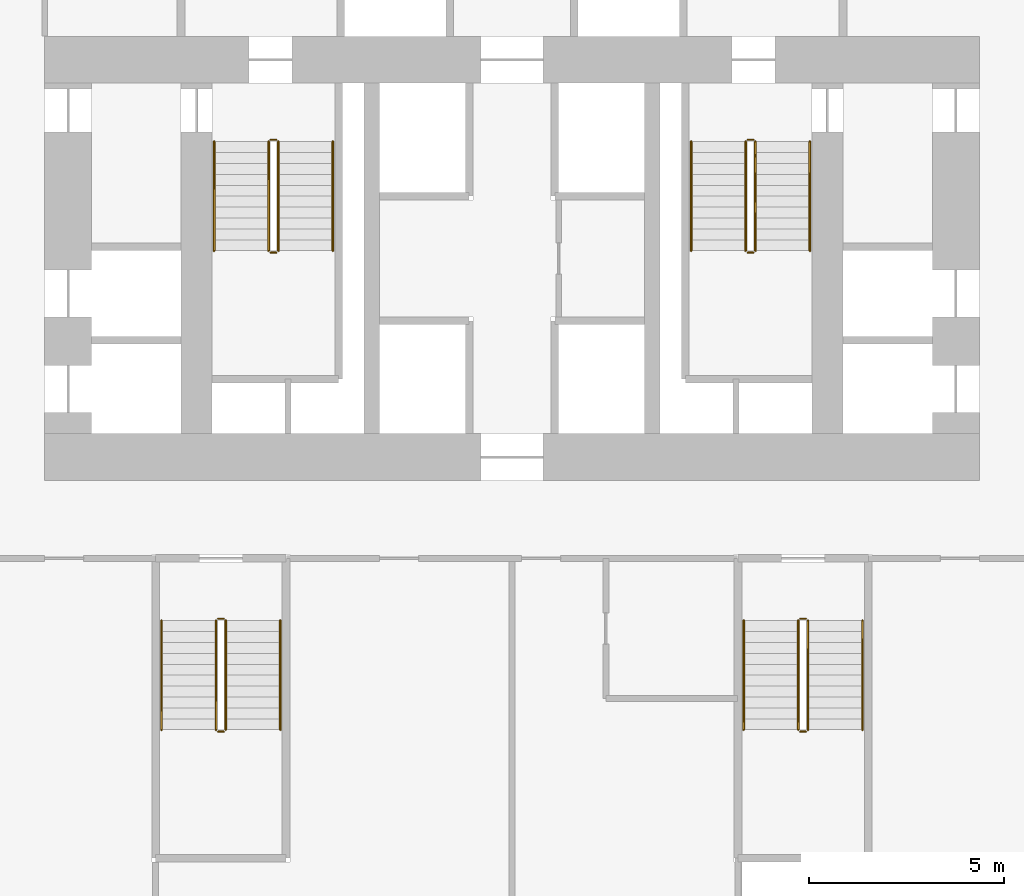
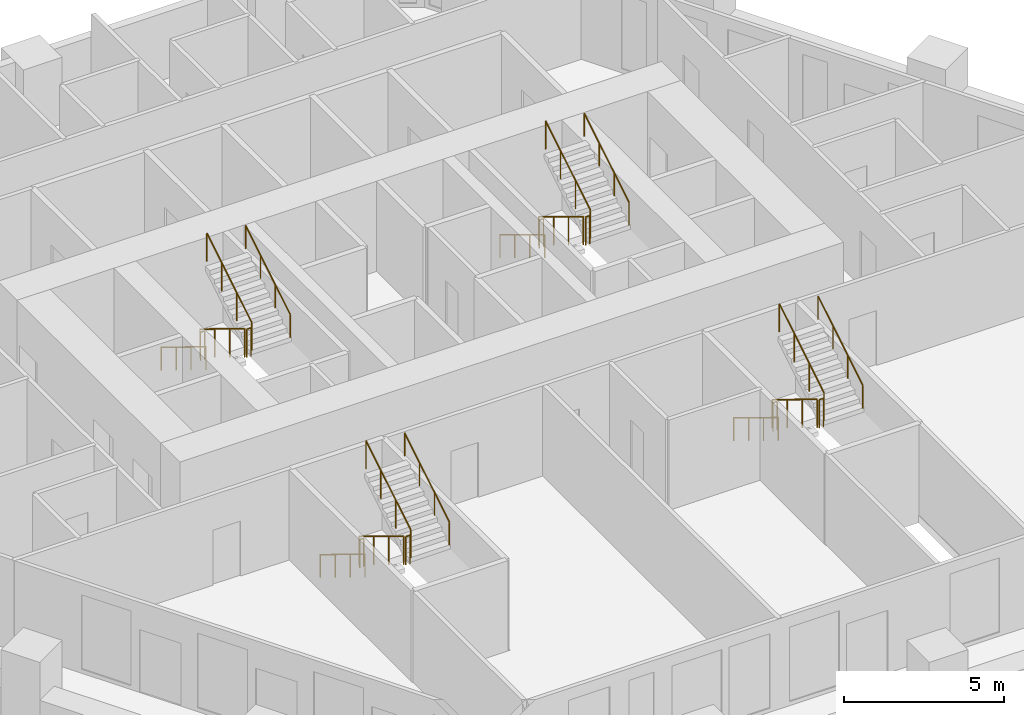
# One storey, part 8 of 8: 24 railings.
"""IFC4 building model written with IfcOpenShell, lengths in metres."""

from ifc_helpers import new_model, si_unit, direction, frame, origin, origin_2d, place, context, subcontext, project, spatial, circle, extrude, material, type_object, element, save


model = new_model("IFC4")

# Units and contexts
model_context = context("Model", 3, precision=1e-05, world=origin(), true_north=direction((0.0, 1.0)))
body_context = subcontext(model_context, "Body", "Model", "MODEL_VIEW")
ifc_project = project(units=[si_unit("LENGTHUNIT", "METRE"), si_unit("AREAUNIT", "SQUARE_METRE"), si_unit("VOLUMEUNIT", "CUBIC_METRE"), si_unit("PLANEANGLEUNIT", "RADIAN"), si_unit("MASSUNIT", "GRAM", prefix="KILO")], contexts=[model_context])

# Site, building, storey
site_placement = place(None, origin())
site = spatial("IfcSite", under=ifc_project, at=site_placement, CompositionType="ELEMENT")
building_placement = place(site_placement, origin())
building = spatial("IfcBuilding", under=site, at=building_placement, Name="Ostrander Bayou Hotel Tower", CompositionType="ELEMENT")
storey_placement = place(building_placement, frame((0.0, 0.0, 31.75)))
storey = spatial("IfcBuildingStorey", under=building, at=storey_placement, Name="L07", CompositionType="ELEMENT", Elevation=31.75)

# Railings
ifc_material_1 = material(Name="Steel ASTM A500 Gr C", Category="steel")
railing_type_1 = type_object("IfcRailingType", Name="GR1 stair guard 1100 mm steel", PredefinedType="GUARDRAIL", material=ifc_material_1)
railing_1_placement = place(storey_placement, frame((-6.25, 7.0, 0.17041015625)))
element("IfcRailing", 1, at=railing_1_placement, inside=storey, type_object=railing_type_1, Name="L07 STA stair guard 1", PredefinedType="GUARDRAIL", context=body_context, shape_type="SweptSolid", body=[
    extrude(circle(Radius=0.02392578125, at=origin_2d()), frame((0.0, 0.0, 1.076171875), z_axis=(0.0, -0.854169791009, 0.51999420009), x_axis=(1.0, 0.0, 0.0)), (0.0, 0.0, 1.0), 3.278076171875),
    extrude(circle(Radius=0.02099609375, at=origin_2d()), origin(), (0.0, 0.0, 1.0), 1.052001953125),
    extrude(circle(Radius=0.02099609375, at=origin_2d()), frame((0.0, -0.933349609375, 0.568115234375)), (0.0, 0.0, 1.0), 1.052001953125),
    extrude(circle(Radius=0.02099609375, at=origin_2d()), frame((0.0, -1.86669921875, 1.136474609375)), (0.0, 0.0, 1.0), 1.052001953125),
    extrude(circle(Radius=0.02099609375, at=origin_2d()), frame((0.0, -2.800048828125, 1.70458984375)), (0.0, 0.0, 1.0), 1.052001953125),
])
railing_2_placement = place(storey_placement, frame((-6.199951171875, 4.14990234375, 1.875)))
element("IfcRailing", 2, at=railing_2_placement, inside=storey, type_object=railing_type_1, Name="L07 STA stair guard 2", PredefinedType="GUARDRAIL", context=body_context, shape_type="SweptSolid", body=[
    extrude(circle(Radius=0.02392578125, at=origin_2d()), frame((0.0, 0.0, 1.076171875), z_axis=(1.0, 0.0, 0.0), x_axis=(0.0, 1.0, 0.0)), (0.0, 0.0, 1.0), 0.14990234375),
    extrude(circle(Radius=0.02099609375, at=origin_2d()), origin(), (0.0, 0.0, 1.0), 1.052001953125),
    extrude(circle(Radius=0.02099609375, at=origin_2d()), frame((0.14990234375, 0.0, 0.0)), (0.0, 0.0, 1.0), 1.052001953125),
])
railing_3_placement = place(storey_placement, frame((-6.0, 4.199951171875, 2.04541015625)))
element("IfcRailing", 3, at=railing_3_placement, inside=storey, type_object=railing_type_1, Name="L07 STA stair guard 3", PredefinedType="GUARDRAIL", context=body_context, shape_type="SweptSolid", body=[
    extrude(circle(Radius=0.02392578125, at=origin_2d()), frame((0.0, 0.0, 1.076171875), z_axis=(0.0, 0.854169791009, 0.51999420009), x_axis=(-1.0, 0.0, 0.0)), (0.0, 0.0, 1.0), 3.278076171875),
    extrude(circle(Radius=0.02099609375, at=origin_2d()), origin(), (0.0, 0.0, 1.0), 1.052001953125),
    extrude(circle(Radius=0.02099609375, at=origin_2d()), frame((0.0, 0.933349609375, 0.568115234375)), (0.0, 0.0, 1.0), 1.052001953125),
    extrude(circle(Radius=0.02099609375, at=origin_2d()), frame((0.0, 1.86669921875, 1.136474609375)), (0.0, 0.0, 1.0), 1.052001953125),
    extrude(circle(Radius=0.02099609375, at=origin_2d()), frame((0.0, 2.800048828125, 1.70458984375)), (0.0, 0.0, 1.0), 1.052001953125),
])
railing_4_placement = place(storey_placement, frame((-6.199951171875, 7.050048828125, 0.0)))
element("IfcRailing", 4, at=railing_4_placement, inside=storey, type_object=railing_type_1, Name="L07 STA stair guard 4", PredefinedType="GUARDRAIL", context=body_context, shape_type="SweptSolid", body=[
    extrude(circle(Radius=0.02392578125, at=origin_2d()), frame((0.0, 0.0, 1.076171875), z_axis=(1.0, 0.0, 0.0), x_axis=(0.0, 1.0, 0.0)), (0.0, 0.0, 1.0), 0.14990234375),
    extrude(circle(Radius=0.02099609375, at=origin_2d()), origin(), (0.0, 0.0, 1.0), 1.052001953125),
    extrude(circle(Radius=0.02099609375, at=origin_2d()), frame((0.14990234375, 0.0, 0.0)), (0.0, 0.0, 1.0), 1.052001953125),
])
railing_5_placement = place(storey_placement, frame((6.0, 7.0, 0.17041015625)))
element("IfcRailing", 5, at=railing_5_placement, inside=storey, type_object=railing_type_1, Name="L07 STB stair guard 1", PredefinedType="GUARDRAIL", context=body_context, shape_type="SweptSolid", body=[
    extrude(circle(Radius=0.02392578125, at=origin_2d()), frame((0.0, 0.0, 1.076171875), z_axis=(0.0, -0.854169791009, 0.51999420009), x_axis=(1.0, 0.0, 0.0)), (0.0, 0.0, 1.0), 3.278076171875),
    extrude(circle(Radius=0.02099609375, at=origin_2d()), origin(), (0.0, 0.0, 1.0), 1.052001953125),
    extrude(circle(Radius=0.02099609375, at=origin_2d()), frame((0.0, -0.933349609375, 0.568115234375)), (0.0, 0.0, 1.0), 1.052001953125),
    extrude(circle(Radius=0.02099609375, at=origin_2d()), frame((0.0, -1.86669921875, 1.136474609375)), (0.0, 0.0, 1.0), 1.052001953125),
    extrude(circle(Radius=0.02099609375, at=origin_2d()), frame((0.0, -2.800048828125, 1.70458984375)), (0.0, 0.0, 1.0), 1.052001953125),
])
railing_6_placement = place(storey_placement, frame((6.050048828125, 4.14990234375, 1.875)))
element("IfcRailing", 6, at=railing_6_placement, inside=storey, type_object=railing_type_1, Name="L07 STB stair guard 2", PredefinedType="GUARDRAIL", context=body_context, shape_type="SweptSolid", body=[
    extrude(circle(Radius=0.02392578125, at=origin_2d()), frame((0.0, 0.0, 1.076171875), z_axis=(1.0, 0.0, 0.0), x_axis=(0.0, 1.0, 0.0)), (0.0, 0.0, 1.0), 0.14990234375),
    extrude(circle(Radius=0.02099609375, at=origin_2d()), origin(), (0.0, 0.0, 1.0), 1.052001953125),
    extrude(circle(Radius=0.02099609375, at=origin_2d()), frame((0.14990234375, 0.0, 0.0)), (0.0, 0.0, 1.0), 1.052001953125),
])
railing_7_placement = place(storey_placement, frame((6.25, 4.199951171875, 2.04541015625)))
element("IfcRailing", 7, at=railing_7_placement, inside=storey, type_object=railing_type_1, Name="L07 STB stair guard 3", PredefinedType="GUARDRAIL", context=body_context, shape_type="SweptSolid", body=[
    extrude(circle(Radius=0.02392578125, at=origin_2d()), frame((0.0, 0.0, 1.076171875), z_axis=(0.0, 0.854169791009, 0.51999420009), x_axis=(-1.0, 0.0, 0.0)), (0.0, 0.0, 1.0), 3.278076171875),
    extrude(circle(Radius=0.02099609375, at=origin_2d()), origin(), (0.0, 0.0, 1.0), 1.052001953125),
    extrude(circle(Radius=0.02099609375, at=origin_2d()), frame((0.0, 0.933349609375, 0.568115234375)), (0.0, 0.0, 1.0), 1.052001953125),
    extrude(circle(Radius=0.02099609375, at=origin_2d()), frame((0.0, 1.86669921875, 1.136474609375)), (0.0, 0.0, 1.0), 1.052001953125),
    extrude(circle(Radius=0.02099609375, at=origin_2d()), frame((0.0, 2.800048828125, 1.70458984375)), (0.0, 0.0, 1.0), 1.052001953125),
])
railing_8_placement = place(storey_placement, frame((6.050048828125, 7.050048828125, 0.0)))
element("IfcRailing", 8, at=railing_8_placement, inside=storey, type_object=railing_type_1, Name="L07 STB stair guard 4", PredefinedType="GUARDRAIL", context=body_context, shape_type="SweptSolid", body=[
    extrude(circle(Radius=0.02392578125, at=origin_2d()), frame((0.0, 0.0, 1.076171875), z_axis=(1.0, 0.0, 0.0), x_axis=(0.0, 1.0, 0.0)), (0.0, 0.0, 1.0), 0.14990234375),
    extrude(circle(Radius=0.02099609375, at=origin_2d()), origin(), (0.0, 0.0, 1.0), 1.052001953125),
    extrude(circle(Radius=0.02099609375, at=origin_2d()), frame((0.14990234375, 0.0, 0.0)), (0.0, 0.0, 1.0), 1.052001953125),
])
railing_9_placement = place(storey_placement, frame((7.35009765625, -5.300048828125, 0.17041015625)))
element("IfcRailing", 9, at=railing_9_placement, inside=storey, type_object=railing_type_1, Name="L07 STC stair guard 1", PredefinedType="GUARDRAIL", context=body_context, shape_type="SweptSolid", body=[
    extrude(circle(Radius=0.02392578125, at=origin_2d()), frame((0.0, 0.0, 1.076171875), z_axis=(0.0, -0.854169791009, 0.51999420009), x_axis=(1.0, 0.0, 0.0)), (0.0, 0.0, 1.0), 3.278076171875),
    extrude(circle(Radius=0.02099609375, at=origin_2d()), origin(), (0.0, 0.0, 1.0), 1.052001953125),
    extrude(circle(Radius=0.02099609375, at=origin_2d()), frame((0.0, -0.933349609375, 0.568115234375)), (0.0, 0.0, 1.0), 1.052001953125),
    extrude(circle(Radius=0.02099609375, at=origin_2d()), frame((0.0, -1.86669921875, 1.136474609375)), (0.0, 0.0, 1.0), 1.052001953125),
    extrude(circle(Radius=0.02099609375, at=origin_2d()), frame((0.0, -2.800048828125, 1.70458984375)), (0.0, 0.0, 1.0), 1.052001953125),
])
railing_10_placement = place(storey_placement, frame((7.39990234375, -8.14990234375, 1.875)))
element("IfcRailing", 10, at=railing_10_placement, inside=storey, type_object=railing_type_1, Name="L07 STC stair guard 2", PredefinedType="GUARDRAIL", context=body_context, shape_type="SweptSolid", body=[
    extrude(circle(Radius=0.02392578125, at=origin_2d()), frame((0.0, 0.0, 1.076171875), z_axis=(1.0, 0.0, 0.0), x_axis=(0.0, 1.0, 0.0)), (0.0, 0.0, 1.0), 0.150146484375),
    extrude(circle(Radius=0.02099609375, at=origin_2d()), origin(), (0.0, 0.0, 1.0), 1.052001953125),
    extrude(circle(Radius=0.02099609375, at=origin_2d()), frame((0.150146484375, 0.0, 0.0)), (0.0, 0.0, 1.0), 1.052001953125),
])
railing_11_placement = place(storey_placement, frame((7.60009765625, -8.10009765625, 2.04541015625)))
element("IfcRailing", 11, at=railing_11_placement, inside=storey, type_object=railing_type_1, Name="L07 STC stair guard 3", PredefinedType="GUARDRAIL", context=body_context, shape_type="SweptSolid", body=[
    extrude(circle(Radius=0.02392578125, at=origin_2d()), frame((0.0, 0.0, 1.076171875), z_axis=(0.0, 0.854169791009, 0.51999420009), x_axis=(-1.0, 0.0, 0.0)), (0.0, 0.0, 1.0), 3.278076171875),
    extrude(circle(Radius=0.02099609375, at=origin_2d()), origin(), (0.0, 0.0, 1.0), 1.052001953125),
    extrude(circle(Radius=0.02099609375, at=origin_2d()), frame((0.0, 0.933349609375, 0.568115234375)), (0.0, 0.0, 1.0), 1.052001953125),
    extrude(circle(Radius=0.02099609375, at=origin_2d()), frame((0.0, 1.86669921875, 1.136474609375)), (0.0, 0.0, 1.0), 1.052001953125),
    extrude(circle(Radius=0.02099609375, at=origin_2d()), frame((0.0, 2.800048828125, 1.70458984375)), (0.0, 0.0, 1.0), 1.052001953125),
])
railing_12_placement = place(storey_placement, frame((7.39990234375, -5.25, 0.0)))
element("IfcRailing", 12, at=railing_12_placement, inside=storey, type_object=railing_type_1, Name="L07 STC stair guard 4", PredefinedType="GUARDRAIL", context=body_context, shape_type="SweptSolid", body=[
    extrude(circle(Radius=0.02392578125, at=origin_2d()), frame((0.0, 0.0, 1.076171875), z_axis=(1.0, 0.0, 0.0), x_axis=(0.0, 1.0, 0.0)), (0.0, 0.0, 1.0), 0.150146484375),
    extrude(circle(Radius=0.02099609375, at=origin_2d()), origin(), (0.0, 0.0, 1.0), 1.052001953125),
    extrude(circle(Radius=0.02099609375, at=origin_2d()), frame((0.150146484375, 0.0, 0.0)), (0.0, 0.0, 1.0), 1.052001953125),
])
railing_13_placement = place(storey_placement, frame((-7.60009765625, -5.300048828125, 0.17041015625)))
element("IfcRailing", 13, at=railing_13_placement, inside=storey, type_object=railing_type_1, Name="L07 STD stair guard 1", PredefinedType="GUARDRAIL", context=body_context, shape_type="SweptSolid", body=[
    extrude(circle(Radius=0.02392578125, at=origin_2d()), frame((0.0, 0.0, 1.076171875), z_axis=(0.0, -0.854169791009, 0.51999420009), x_axis=(1.0, 0.0, 0.0)), (0.0, 0.0, 1.0), 3.278076171875),
    extrude(circle(Radius=0.02099609375, at=origin_2d()), origin(), (0.0, 0.0, 1.0), 1.052001953125),
    extrude(circle(Radius=0.02099609375, at=origin_2d()), frame((0.0, -0.933349609375, 0.568115234375)), (0.0, 0.0, 1.0), 1.052001953125),
    extrude(circle(Radius=0.02099609375, at=origin_2d()), frame((0.0, -1.86669921875, 1.136474609375)), (0.0, 0.0, 1.0), 1.052001953125),
    extrude(circle(Radius=0.02099609375, at=origin_2d()), frame((0.0, -2.800048828125, 1.70458984375)), (0.0, 0.0, 1.0), 1.052001953125),
])
railing_14_placement = place(storey_placement, frame((-7.550048828125, -8.14990234375, 1.875)))
element("IfcRailing", 14, at=railing_14_placement, inside=storey, type_object=railing_type_1, Name="L07 STD stair guard 2", PredefinedType="GUARDRAIL", context=body_context, shape_type="SweptSolid", body=[
    extrude(circle(Radius=0.02392578125, at=origin_2d()), frame((0.0, 0.0, 1.076171875), z_axis=(1.0, 0.0, 0.0), x_axis=(0.0, 1.0, 0.0)), (0.0, 0.0, 1.0), 0.150146484375),
    extrude(circle(Radius=0.02099609375, at=origin_2d()), origin(), (0.0, 0.0, 1.0), 1.052001953125),
    extrude(circle(Radius=0.02099609375, at=origin_2d()), frame((0.150146484375, 0.0, 0.0)), (0.0, 0.0, 1.0), 1.052001953125),
])
railing_15_placement = place(storey_placement, frame((-7.35009765625, -8.10009765625, 2.04541015625)))
element("IfcRailing", 15, at=railing_15_placement, inside=storey, type_object=railing_type_1, Name="L07 STD stair guard 3", PredefinedType="GUARDRAIL", context=body_context, shape_type="SweptSolid", body=[
    extrude(circle(Radius=0.02392578125, at=origin_2d()), frame((0.0, 0.0, 1.076171875), z_axis=(0.0, 0.854169791009, 0.51999420009), x_axis=(-1.0, 0.0, 0.0)), (0.0, 0.0, 1.0), 3.278076171875),
    extrude(circle(Radius=0.02099609375, at=origin_2d()), origin(), (0.0, 0.0, 1.0), 1.052001953125),
    extrude(circle(Radius=0.02099609375, at=origin_2d()), frame((0.0, 0.933349609375, 0.568115234375)), (0.0, 0.0, 1.0), 1.052001953125),
    extrude(circle(Radius=0.02099609375, at=origin_2d()), frame((0.0, 1.86669921875, 1.136474609375)), (0.0, 0.0, 1.0), 1.052001953125),
    extrude(circle(Radius=0.02099609375, at=origin_2d()), frame((0.0, 2.800048828125, 1.70458984375)), (0.0, 0.0, 1.0), 1.052001953125),
])
railing_16_placement = place(storey_placement, frame((-7.550048828125, -5.25, 0.0)))
element("IfcRailing", 16, at=railing_16_placement, inside=storey, type_object=railing_type_1, Name="L07 STD stair guard 4", PredefinedType="GUARDRAIL", context=body_context, shape_type="SweptSolid", body=[
    extrude(circle(Radius=0.02392578125, at=origin_2d()), frame((0.0, 0.0, 1.076171875), z_axis=(1.0, 0.0, 0.0), x_axis=(0.0, 1.0, 0.0)), (0.0, 0.0, 1.0), 0.150146484375),
    extrude(circle(Radius=0.02099609375, at=origin_2d()), origin(), (0.0, 0.0, 1.0), 1.052001953125),
    extrude(circle(Radius=0.02099609375, at=origin_2d()), frame((0.150146484375, 0.0, 0.0)), (0.0, 0.0, 1.0), 1.052001953125),
])
ifc_material_2 = material(Name="Steel ASTM A500 Gr C", Category="steel")
railing_type_2 = type_object("IfcRailingType", Name="HR1 stair handrail 900 mm steel", PredefinedType="HANDRAIL", material=ifc_material_2)
railing_17_placement = place(storey_placement, frame((-7.64990234375, 7.0, 0.17041015625)))
element("IfcRailing", 17, at=railing_17_placement, inside=storey, type_object=railing_type_2, Name="L07 STA stair handrail 1", PredefinedType="HANDRAIL", context=body_context, shape_type="SweptSolid", body=[
    extrude(circle(Radius=0.02392578125, at=origin_2d()), frame((0.0, 0.0, 0.8759765625), z_axis=(0.0, -0.854169791009, 0.51999420009), x_axis=(1.0, 0.0, 0.0)), (0.0, 0.0, 1.0), 3.278076171875),
    extrude(circle(Radius=0.02099609375, at=origin_2d()), origin(), (0.0, 0.0, 1.0), 0.851806640625),
    extrude(circle(Radius=0.02099609375, at=origin_2d()), frame((0.0, -0.933349609375, 0.568115234375)), (0.0, 0.0, 1.0), 0.851806640625),
    extrude(circle(Radius=0.02099609375, at=origin_2d()), frame((0.0, -1.86669921875, 1.136474609375)), (0.0, 0.0, 1.0), 0.851806640625),
    extrude(circle(Radius=0.02099609375, at=origin_2d()), frame((0.0, -2.800048828125, 1.70458984375)), (0.0, 0.0, 1.0), 0.851806640625),
])
railing_18_placement = place(storey_placement, frame((-4.60009765625, 4.199951171875, 2.04541015625)))
element("IfcRailing", 18, at=railing_18_placement, inside=storey, type_object=railing_type_2, Name="L07 STA stair handrail 2", PredefinedType="HANDRAIL", context=body_context, shape_type="SweptSolid", body=[
    extrude(circle(Radius=0.02392578125, at=origin_2d()), frame((0.0, 0.0, 0.8759765625), z_axis=(0.0, 0.854169791009, 0.51999420009), x_axis=(-1.0, 0.0, 0.0)), (0.0, 0.0, 1.0), 3.278076171875),
    extrude(circle(Radius=0.02099609375, at=origin_2d()), origin(), (0.0, 0.0, 1.0), 0.851806640625),
    extrude(circle(Radius=0.02099609375, at=origin_2d()), frame((0.0, 0.933349609375, 0.568115234375)), (0.0, 0.0, 1.0), 0.851806640625),
    extrude(circle(Radius=0.02099609375, at=origin_2d()), frame((0.0, 1.86669921875, 1.136474609375)), (0.0, 0.0, 1.0), 0.851806640625),
    extrude(circle(Radius=0.02099609375, at=origin_2d()), frame((0.0, 2.800048828125, 1.70458984375)), (0.0, 0.0, 1.0), 0.851806640625),
])
railing_19_placement = place(storey_placement, frame((4.60009765625, 7.0, 0.17041015625)))
element("IfcRailing", 19, at=railing_19_placement, inside=storey, type_object=railing_type_2, Name="L07 STB stair handrail 1", PredefinedType="HANDRAIL", context=body_context, shape_type="SweptSolid", body=[
    extrude(circle(Radius=0.02392578125, at=origin_2d()), frame((0.0, 0.0, 0.8759765625), z_axis=(0.0, -0.854169791009, 0.51999420009), x_axis=(1.0, 0.0, 0.0)), (0.0, 0.0, 1.0), 3.278076171875),
    extrude(circle(Radius=0.02099609375, at=origin_2d()), origin(), (0.0, 0.0, 1.0), 0.851806640625),
    extrude(circle(Radius=0.02099609375, at=origin_2d()), frame((0.0, -0.933349609375, 0.568115234375)), (0.0, 0.0, 1.0), 0.851806640625),
    extrude(circle(Radius=0.02099609375, at=origin_2d()), frame((0.0, -1.86669921875, 1.136474609375)), (0.0, 0.0, 1.0), 0.851806640625),
    extrude(circle(Radius=0.02099609375, at=origin_2d()), frame((0.0, -2.800048828125, 1.70458984375)), (0.0, 0.0, 1.0), 0.851806640625),
])
railing_20_placement = place(storey_placement, frame((7.64990234375, 4.199951171875, 2.04541015625)))
element("IfcRailing", 20, at=railing_20_placement, inside=storey, type_object=railing_type_2, Name="L07 STB stair handrail 2", PredefinedType="HANDRAIL", context=body_context, shape_type="SweptSolid", body=[
    extrude(circle(Radius=0.02392578125, at=origin_2d()), frame((0.0, 0.0, 0.8759765625), z_axis=(0.0, 0.854169791009, 0.51999420009), x_axis=(-1.0, 0.0, 0.0)), (0.0, 0.0, 1.0), 3.278076171875),
    extrude(circle(Radius=0.02099609375, at=origin_2d()), origin(), (0.0, 0.0, 1.0), 0.851806640625),
    extrude(circle(Radius=0.02099609375, at=origin_2d()), frame((0.0, 0.933349609375, 0.568115234375)), (0.0, 0.0, 1.0), 0.851806640625),
    extrude(circle(Radius=0.02099609375, at=origin_2d()), frame((0.0, 1.86669921875, 1.136474609375)), (0.0, 0.0, 1.0), 0.851806640625),
    extrude(circle(Radius=0.02099609375, at=origin_2d()), frame((0.0, 2.800048828125, 1.70458984375)), (0.0, 0.0, 1.0), 0.851806640625),
])
railing_21_placement = place(storey_placement, frame((5.949951171875, -5.300048828125, 0.17041015625)))
element("IfcRailing", 21, at=railing_21_placement, inside=storey, type_object=railing_type_2, Name="L07 STC stair handrail 1", PredefinedType="HANDRAIL", context=body_context, shape_type="SweptSolid", body=[
    extrude(circle(Radius=0.02392578125, at=origin_2d()), frame((0.0, 0.0, 0.8759765625), z_axis=(0.0, -0.854169791009, 0.51999420009), x_axis=(1.0, 0.0, 0.0)), (0.0, 0.0, 1.0), 3.278076171875),
    extrude(circle(Radius=0.02099609375, at=origin_2d()), origin(), (0.0, 0.0, 1.0), 0.851806640625),
    extrude(circle(Radius=0.02099609375, at=origin_2d()), frame((0.0, -0.933349609375, 0.568115234375)), (0.0, 0.0, 1.0), 0.851806640625),
    extrude(circle(Radius=0.02099609375, at=origin_2d()), frame((0.0, -1.86669921875, 1.136474609375)), (0.0, 0.0, 1.0), 0.851806640625),
    extrude(circle(Radius=0.02099609375, at=origin_2d()), frame((0.0, -2.800048828125, 1.70458984375)), (0.0, 0.0, 1.0), 0.851806640625),
])
railing_22_placement = place(storey_placement, frame((9.0, -8.10009765625, 2.04541015625)))
element("IfcRailing", 22, at=railing_22_placement, inside=storey, type_object=railing_type_2, Name="L07 STC stair handrail 2", PredefinedType="HANDRAIL", context=body_context, shape_type="SweptSolid", body=[
    extrude(circle(Radius=0.02392578125, at=origin_2d()), frame((0.0, 0.0, 0.8759765625), z_axis=(0.0, 0.854169791009, 0.51999420009), x_axis=(-1.0, 0.0, 0.0)), (0.0, 0.0, 1.0), 3.278076171875),
    extrude(circle(Radius=0.02099609375, at=origin_2d()), origin(), (0.0, 0.0, 1.0), 0.851806640625),
    extrude(circle(Radius=0.02099609375, at=origin_2d()), frame((0.0, 0.933349609375, 0.568115234375)), (0.0, 0.0, 1.0), 0.851806640625),
    extrude(circle(Radius=0.02099609375, at=origin_2d()), frame((0.0, 1.86669921875, 1.136474609375)), (0.0, 0.0, 1.0), 0.851806640625),
    extrude(circle(Radius=0.02099609375, at=origin_2d()), frame((0.0, 2.800048828125, 1.70458984375)), (0.0, 0.0, 1.0), 0.851806640625),
])
railing_23_placement = place(storey_placement, frame((-9.0, -5.300048828125, 0.17041015625)))
element("IfcRailing", 23, at=railing_23_placement, inside=storey, type_object=railing_type_2, Name="L07 STD stair handrail 1", PredefinedType="HANDRAIL", context=body_context, shape_type="SweptSolid", body=[
    extrude(circle(Radius=0.02392578125, at=origin_2d()), frame((0.0, 0.0, 0.8759765625), z_axis=(0.0, -0.854169791009, 0.51999420009), x_axis=(1.0, 0.0, 0.0)), (0.0, 0.0, 1.0), 3.278076171875),
    extrude(circle(Radius=0.02099609375, at=origin_2d()), origin(), (0.0, 0.0, 1.0), 0.851806640625),
    extrude(circle(Radius=0.02099609375, at=origin_2d()), frame((0.0, -0.933349609375, 0.568115234375)), (0.0, 0.0, 1.0), 0.851806640625),
    extrude(circle(Radius=0.02099609375, at=origin_2d()), frame((0.0, -1.86669921875, 1.136474609375)), (0.0, 0.0, 1.0), 0.851806640625),
    extrude(circle(Radius=0.02099609375, at=origin_2d()), frame((0.0, -2.800048828125, 1.70458984375)), (0.0, 0.0, 1.0), 0.851806640625),
])
railing_24_placement = place(storey_placement, frame((-5.949951171875, -8.10009765625, 2.04541015625)))
element("IfcRailing", 24, at=railing_24_placement, inside=storey, type_object=railing_type_2, Name="L07 STD stair handrail 2", PredefinedType="HANDRAIL", context=body_context, shape_type="SweptSolid", body=[
    extrude(circle(Radius=0.02392578125, at=origin_2d()), frame((0.0, 0.0, 0.8759765625), z_axis=(0.0, 0.854169791009, 0.51999420009), x_axis=(-1.0, 0.0, 0.0)), (0.0, 0.0, 1.0), 3.278076171875),
    extrude(circle(Radius=0.02099609375, at=origin_2d()), origin(), (0.0, 0.0, 1.0), 0.851806640625),
    extrude(circle(Radius=0.02099609375, at=origin_2d()), frame((0.0, 0.933349609375, 0.568115234375)), (0.0, 0.0, 1.0), 0.851806640625),
    extrude(circle(Radius=0.02099609375, at=origin_2d()), frame((0.0, 1.86669921875, 1.136474609375)), (0.0, 0.0, 1.0), 0.851806640625),
    extrude(circle(Radius=0.02099609375, at=origin_2d()), frame((0.0, 2.800048828125, 1.70458984375)), (0.0, 0.0, 1.0), 0.851806640625),
])

save(model, "model.ifc")
